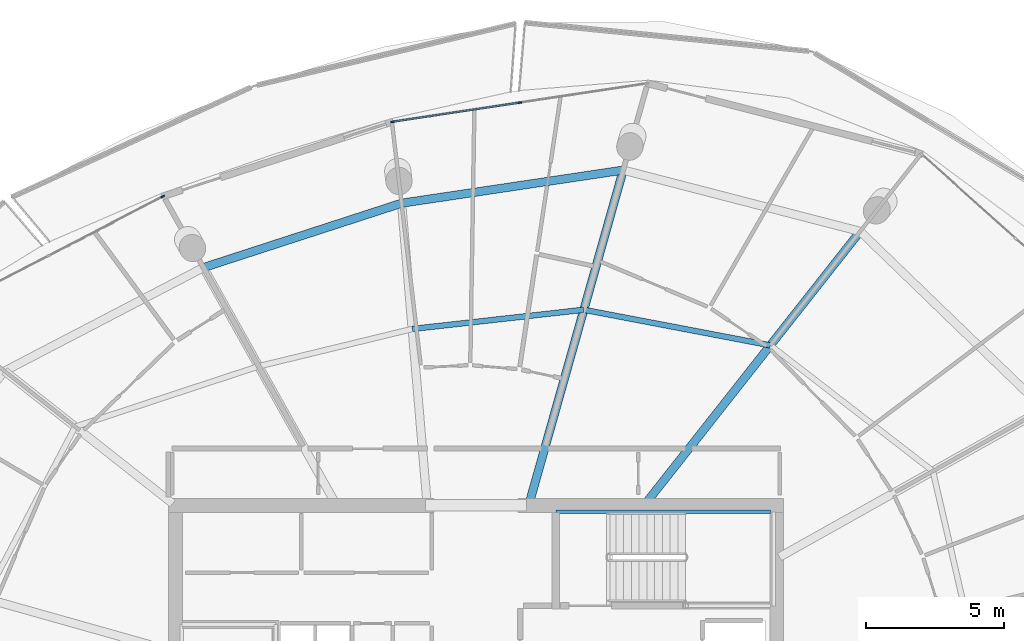
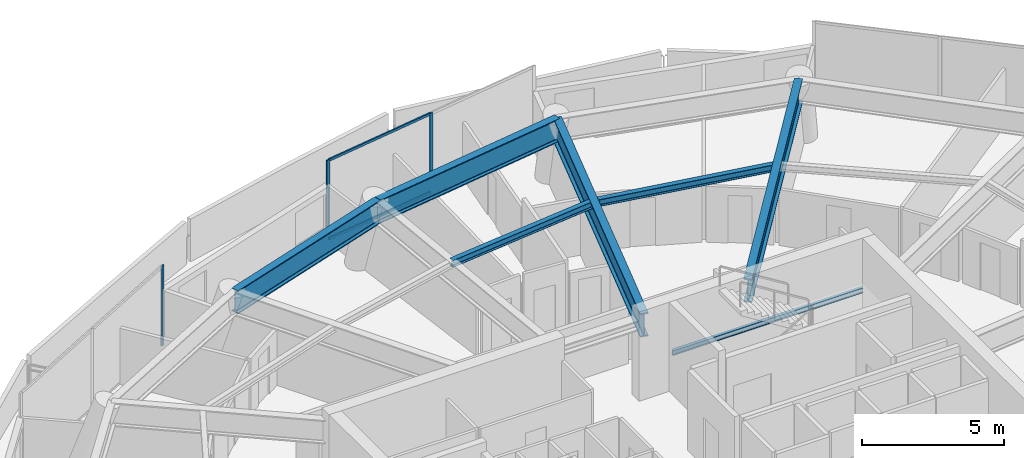
# One storey, part 11 of 24: 7 beams, 5 members, 2 elements without a shape of their own.
"""IFC4 building model written with IfcOpenShell, lengths in metres."""

from ifc_helpers import new_model, si_unit, direction, frame, origin, origin_2d, place, context, subcontext, project, spatial, rectangle, i_section, extrude, material, layer, layer_set, material_profile, profile_set, type_object, element, aggregate, save


model = new_model("IFC4")

# Units and contexts
model_context = context("Model", 3, precision=1e-05, world=origin(), true_north=direction((0.0, 1.0)))
body_context = subcontext(model_context, "Body", "Model", "MODEL_VIEW")
ifc_project = project(units=[si_unit("LENGTHUNIT", "METRE"), si_unit("AREAUNIT", "SQUARE_METRE"), si_unit("VOLUMEUNIT", "CUBIC_METRE"), si_unit("PLANEANGLEUNIT", "RADIAN"), si_unit("MASSUNIT", "GRAM", prefix="KILO")], contexts=[model_context])

# Site, building, storey
site_placement = place(None, origin())
site = spatial("IfcSite", under=ifc_project, at=site_placement, CompositionType="ELEMENT")
building_placement = place(site_placement, origin())
building = spatial("IfcBuilding", under=site, at=building_placement, Name="Kazma Halo Residences", CompositionType="ELEMENT")
storey_placement = place(building_placement, frame((0.0, 0.0, 309.85009765625)))
storey = spatial("IfcBuildingStorey", under=building, at=storey_placement, Name="L78", CompositionType="ELEMENT", Elevation=309.85009765625)

# Beams
ifc_material_1 = material(Name="Steel S355", Category="steel")
ifc_material_profile_1 = material_profile(ifc_material_1, i_section(OverallWidth=0.202880859375, OverallDepth=0.302978515625, WebThickness=0.007568359375, FlangeThickness=0.01318359375, FilletRadius=0.013916015625, at=origin_2d()), Name="W310x60")
ifc_profile_set_1 = profile_set([ifc_material_profile_1], Name="Steel S355")
beam_type_1 = type_object("IfcBeamType", Name="BM-SEC-W310A", PredefinedType="JOIST", material=ifc_profile_set_1)
beam_1_placement = place(storey_placement, frame((59.06787109375, 56.03955078125, 3.29833984375), z_axis=(-0.982319268566, 0.187213393228, 0.0), x_axis=(-0.187213393228, -0.982319268566, 0.0)))
element("IfcBeam", 1, at=beam_1_placement, inside=storey, type_object=beam_type_1, Name="L78 circumferential floor joist 02", PredefinedType="JOIST", context=body_context, shape_type="SweptSolid", body=[
    extrude(i_section(OverallWidth=0.202880859375, OverallDepth=0.302978515625, WebThickness=0.007568359375, FlangeThickness=0.01318359375, FilletRadius=0.013916015625, at=origin_2d()), origin(), (0.0, 0.0, 1.0), 6.8671875),
])
beam_2_placement = place(storey_placement, frame((52.322021484375, 57.3251953125, 3.29833984375), z_axis=(-0.993802889249, -0.111156724138, 0.0), x_axis=(0.111156724138, -0.993802889249, 0.0)))
element("IfcBeam", 2, at=beam_2_placement, inside=storey, type_object=beam_type_1, Name="L78 circumferential floor joist 03", PredefinedType="JOIST", context=body_context, shape_type="SweptSolid", body=[
    extrude(i_section(OverallWidth=0.202880859375, OverallDepth=0.302978515625, WebThickness=0.007568359375, FlangeThickness=0.01318359375, FilletRadius=0.013916015625, at=origin_2d()), origin(), (0.0, 0.0, 1.0), 6.244384765625),
])
ifc_material_profile_2 = material_profile(ifc_material_1, i_section(OverallWidth=0.302001953125, OverallDepth=1.01806640625, WebThickness=0.021484375, FlangeThickness=0.049072265625, FilletRadius=0.028076171875, at=origin_2d()), Name="W1000x443")
ifc_profile_set_2 = profile_set([ifc_material_profile_2], Name="Steel S355")
beam_type_2 = type_object("IfcBeamType", Name="BM-TRANS-W1000A", PredefinedType="BEAM", material=ifc_profile_set_2)
beam_3_placement = place(storey_placement, frame((54.58251953125, 50.35009765625, 2.94091796875), z_axis=(0.619111191023, 0.785303338303, 0.0), x_axis=(-0.785303338303, 0.619111191023, 0.0)))
element("IfcBeam", 3, at=beam_3_placement, inside=storey, type_object=beam_type_2, Name="L78 podium radial transfer girder 02", PredefinedType="BEAM", context=body_context, shape_type="SweptSolid", body=[
    extrude(i_section(OverallWidth=0.302001953125, OverallDepth=1.01806640625, WebThickness=0.021484375, FlangeThickness=0.049072265625, FilletRadius=0.028076171875, at=origin_2d()), origin(), (0.0, 0.0, 1.0), 12.4912109375),
])
beam_4_placement = place(storey_placement, frame((50.35498046875, 50.35009765625, 2.94091796875), z_axis=(0.271426752139, 0.962459099507, 0.0), x_axis=(-0.962459099507, 0.271426752139, 0.0)))
element("IfcBeam", 4, at=beam_4_placement, inside=storey, type_object=beam_type_2, Name="L78 podium radial transfer girder 03", PredefinedType="BEAM", context=body_context, shape_type="SweptSolid", body=[
    extrude(i_section(OverallWidth=0.302001953125, OverallDepth=1.01806640625, WebThickness=0.021484375, FlangeThickness=0.049072265625, FilletRadius=0.028076171875, at=origin_2d()), origin(), (0.0, 0.0, 1.0), 12.495361328125),
])
ifc_material_profile_3 = material_profile(ifc_material_1, i_section(OverallWidth=0.300048828125, OverallDepth=1.0, WebThickness=0.01904296875, FlangeThickness=0.0400390625, FilletRadius=0.02587890625, at=origin_2d()), Name="W1000x371")
ifc_profile_set_3 = profile_set([ifc_material_profile_3], Name="Steel S355")
beam_type_3 = type_object("IfcBeamType", Name="BM-TRANS-W1000B", PredefinedType="BEAM", material=ifc_profile_set_3)
beam_5_placement = place(storey_placement, frame((53.74658203125, 62.37646484375, 2.949951171875), z_axis=(-0.989030710595, -0.147710031817, 0.0), x_axis=(0.147710031817, -0.989030710595, 0.0)))
element("IfcBeam", 5, at=beam_5_placement, inside=storey, type_object=beam_type_3, Name="L78 perimeter ring beam 03", PredefinedType="BEAM", context=body_context, shape_type="SweptSolid", body=[
    extrude(i_section(OverallWidth=0.300048828125, OverallDepth=1.0, WebThickness=0.01904296875, FlangeThickness=0.0400390625, FilletRadius=0.02587890625, at=origin_2d()), origin(), (0.0, 0.0, 1.0), 8.10546875),
])
beam_6_placement = place(storey_placement, frame((45.72998046875, 61.17919921875, 2.949951171875), z_axis=(-0.951056684666, -0.309016476183, 0.0), x_axis=(0.309016476183, -0.951056684666, 0.0)))
element("IfcBeam", 6, at=beam_6_placement, inside=storey, type_object=beam_type_3, Name="L78 perimeter ring beam 04", PredefinedType="BEAM", context=body_context, shape_type="SweptSolid", body=[
    extrude(i_section(OverallWidth=0.300048828125, OverallDepth=1.0, WebThickness=0.01904296875, FlangeThickness=0.0400390625, FilletRadius=0.02587890625, at=origin_2d()), origin(), (0.0, 0.0, 1.0), 7.53564453125),
])
ifc_material_profile_4 = material_profile(ifc_material_1, i_section(OverallWidth=0.133056640625, OverallDepth=0.20703125, WebThickness=0.005859375, FlangeThickness=0.00830078125, FilletRadius=0.010009765625, at=origin_2d()), Name="W200x26.6")
ifc_profile_set_4 = profile_set([ifc_material_profile_4], Name="Steel S355")
beam_type_4 = type_object("IfcBeamType", Name="BM-TRIM-W200", PredefinedType="BEAM", material=ifc_profile_set_4)
beam_7_placement = place(storey_placement, frame((51.31005859375, 50.02001953125, 1.619873046875), z_axis=(1.0, 0.0, 0.0), x_axis=(0.0, 1.0, 0.0)))
element("IfcBeam", 7, at=beam_7_placement, inside=storey, type_object=beam_type_4, Name="L78 ST-02 landing north wall ledger", PredefinedType="BEAM", context=body_context, shape_type="SweptSolid", body=[
    extrude(i_section(OverallWidth=0.133056640625, OverallDepth=0.20703125, WebThickness=0.005859375, FlangeThickness=0.00830078125, FilletRadius=0.010009765625, at=origin_2d()), origin(), (0.0, 0.0, 1.0), 7.760009765625),
])

# Curtain wall, members
ifc_material_2 = material(Name="Aluminium AW-6063 T6 and Triple-Silver Low-E Glass", Category="aluminium")
ifc_layer = layer(ifc_material_2, 0.139892578125)
ifc_layer_set = layer_set([ifc_layer], Name="Aluminium AW-6063 T6 and Triple-Silver Low-E Glass")
curtain_wall_type = type_object("IfcCurtainWallType", Name="CW-SYS-5", PredefinedType="NOTDEFINED", material=ifc_layer_set)
curtain_wall_1_placement = place(storey_placement, origin())
curtain_wall_1 = element("IfcCurtainWall", 8, at=curtain_wall_1_placement, inside=storey, type_object=curtain_wall_type, Name="L78 unitised curtain wall B03", PredefinedType="NOTDEFINED")
ifc_material_3 = material(Name="Aluminium AW-6063 T6", Category="aluminium")
ifc_material_profile_5 = material_profile(ifc_material_3, rectangle(XDim=0.06005859375, YDim=0.139892578125, at=origin_2d()), Name="CWM-60x140")
ifc_profile_set_5 = profile_set([ifc_material_profile_5], Name="Aluminium AW-6063 T6")
member_type_1 = type_object("IfcMemberType", Name="CW-SYS-5-MUL", PredefinedType="MULLION", material=ifc_profile_set_5)
member_1_placement = place(storey_placement, frame((50.00634765625, 64.81591796875, 0.0), z_axis=(0.0, 0.0, 1.0), x_axis=(0.148804170229, -0.9888666841, 0.0)))
member_1 = element("IfcMember", 9, at=member_1_placement, type_object=member_type_1, Name="CWS-5 mullion 2", PredefinedType="MULLION", context=body_context, shape_type="SweptSolid", body=[
    extrude(rectangle(XDim=0.06005859375, YDim=0.139892578125, at=origin_2d()), origin(), (0.0, 0.0, 1.0), 3.449951171875),
])
member_2_placement = place(storey_placement, frame((45.41162109375, 64.124267578125, 0.0), z_axis=(0.0, 0.0, 1.0), x_axis=(0.148804170229, -0.9888666841, 0.0)))
member_2 = element("IfcMember", 10, at=member_2_placement, type_object=member_type_1, Name="CWS-5 mullion 3", PredefinedType="MULLION", context=body_context, shape_type="SweptSolid", body=[
    extrude(rectangle(XDim=0.06005859375, YDim=0.139892578125, at=origin_2d()), origin(), (0.0, 0.0, 1.0), 3.449951171875),
])

# Curtain wall, member
curtain_wall_2_placement = place(storey_placement, origin())
curtain_wall_2 = element("IfcCurtainWall", 11, at=curtain_wall_2_placement, inside=storey, type_object=curtain_wall_type, Name="L78 unitised curtain wall B05", PredefinedType="NOTDEFINED")
member_3_placement = place(storey_placement, frame((37.089599609375, 61.42041015625, 0.0), z_axis=(0.0, 0.0, 1.0), x_axis=(0.460859157438, -0.887473288052, 0.0)))
member_3 = element("IfcMember", 12, at=member_3_placement, type_object=member_type_1, Name="CWS-5 mullion 1", PredefinedType="MULLION", context=body_context, shape_type="SweptSolid", body=[
    extrude(rectangle(XDim=0.06005859375, YDim=0.139892578125, at=origin_2d()), origin(), (0.0, 0.0, 1.0), 3.449951171875),
])
aggregate(curtain_wall_2, [member_3])

# Member
ifc_material_profile_6 = material_profile(ifc_material_3, rectangle(XDim=0.06005859375, YDim=0.10498046875, at=origin_2d()), Name="CWT-60x105")
ifc_profile_set_6 = profile_set([ifc_material_profile_6], Name="Aluminium AW-6063 T6")
member_type_2 = type_object("IfcMemberType", Name="CW-SYS-5-TRN", PredefinedType="USERDEFINED", material=ifc_profile_set_6)
member_4_placement = place(storey_placement, frame((49.976806640625, 64.811279296875, 0.02978515625), z_axis=(-0.988871447751, -0.148772510306, 0.0), x_axis=(0.148772510306, -0.988871447751, 0.0)))
member_4 = element("IfcMember", 13, at=member_4_placement, type_object=member_type_2, Name="CWS-5 transom 2.1", ObjectType="TRANSOM", PredefinedType="USERDEFINED", context=body_context, shape_type="SweptSolid", body=[
    extrude(rectangle(XDim=0.06005859375, YDim=0.10498046875, at=origin_2d()), origin(), (0.0, 0.0, 1.0), 4.586669921875),
])

member_5_placement = place(storey_placement, frame((49.976806640625, 64.811279296875, 3.419921875), z_axis=(-0.988871447751, -0.148772510306, 0.0), x_axis=(0.148772510306, -0.988871447751, 0.0)))
member_5 = element("IfcMember", 14, at=member_5_placement, type_object=member_type_2, Name="CWS-5 transom 2.2", ObjectType="TRANSOM", PredefinedType="USERDEFINED", context=body_context, shape_type="SweptSolid", body=[
    extrude(rectangle(XDim=0.06005859375, YDim=0.10498046875, at=origin_2d()), origin(), (0.0, 0.0, 1.0), 4.586669921875),
])

aggregate(curtain_wall_1, [member_1, member_2, member_4, member_5])

save(model, "model.ifc")
